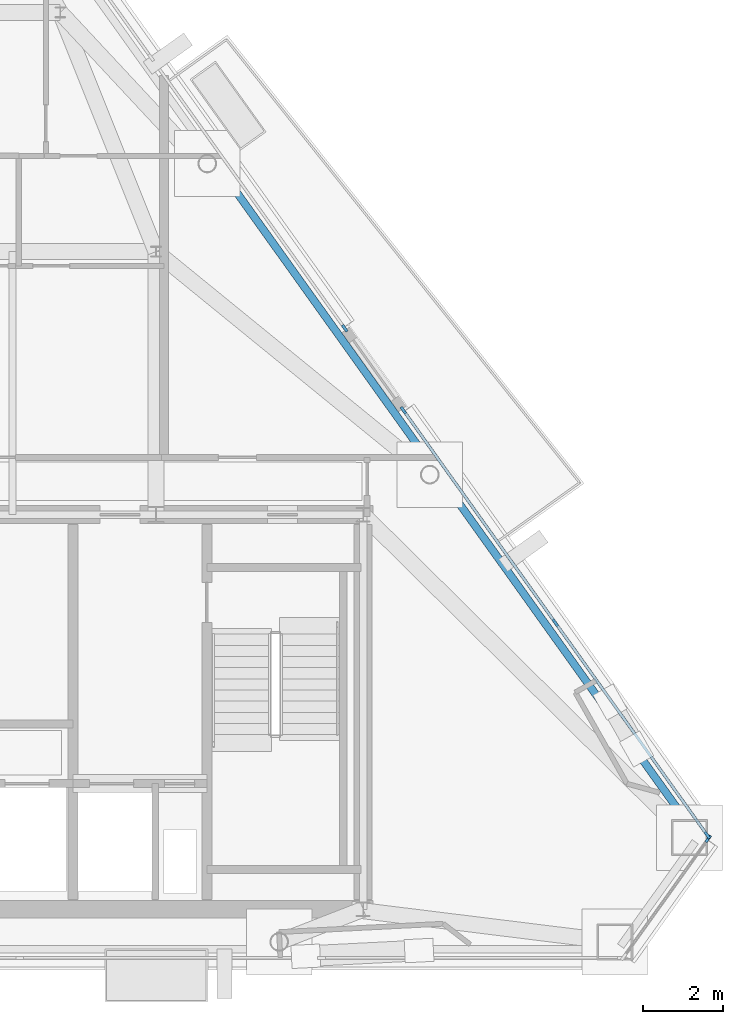
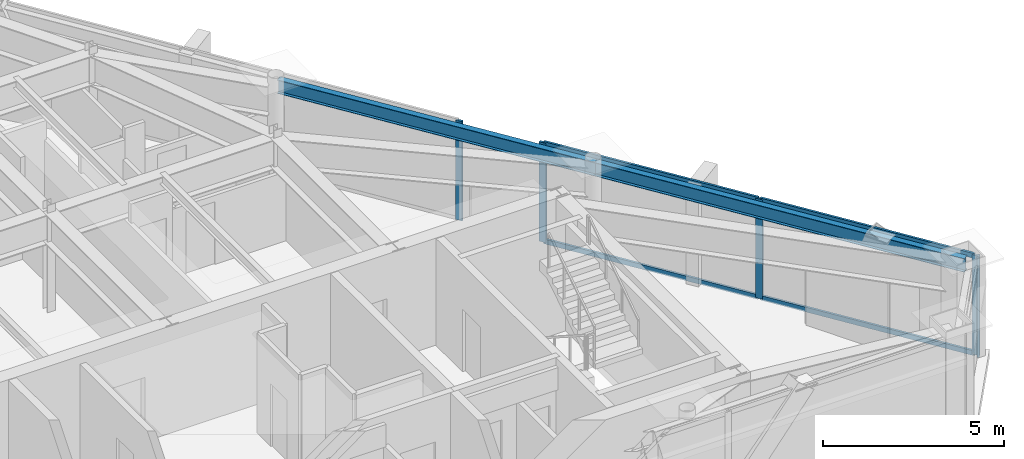
# One storey, part 6 of 11: 9 members, 2 beams, 3 elements without a shape of their own.
"""IFC4 building model written with IfcOpenShell, lengths in metres."""

from ifc_helpers import new_model, si_unit, direction, frame, origin, origin_2d, place, context, subcontext, project, spatial, rectangle, i_section, extrude, material, layer, layer_set, material_profile, profile_set, type_object, element, aggregate, save


model = new_model("IFC4")

# Units and contexts
model_context = context("Model", 3, precision=1e-05, world=origin(), true_north=direction((0.0, 1.0)))
body_context = subcontext(model_context, "Body", "Model", "MODEL_VIEW")
ifc_project = project(units=[si_unit("LENGTHUNIT", "METRE"), si_unit("AREAUNIT", "SQUARE_METRE"), si_unit("VOLUMEUNIT", "CUBIC_METRE"), si_unit("PLANEANGLEUNIT", "RADIAN"), si_unit("MASSUNIT", "GRAM", prefix="KILO")], contexts=[model_context])

# Site, building, storey
site_placement = place(None, origin())
site = spatial("IfcSite", under=ifc_project, at=site_placement, CompositionType="ELEMENT")
building_placement = place(site_placement, origin())
building = spatial("IfcBuilding", under=site, at=building_placement, Name="Talgorran Terracotta Tower", CompositionType="ELEMENT")
storey_placement = place(building_placement, frame((0.0, 0.0, 274.199951171875)))
storey = spatial("IfcBuildingStorey", under=building, at=storey_placement, Name="L72", CompositionType="ELEMENT", Elevation=274.199951171875)

# Beams
ifc_material_1 = material(Name="Steel S355 (300PLUS)", Category="steel")
ifc_material_profile_1 = material_profile(ifc_material_1, i_section(OverallWidth=0.18994140625, OverallDepth=0.45703125, WebThickness=0.009033203125, FlangeThickness=0.014404296875, at=origin_2d()), Name="460UB74.6")
ifc_profile_set_1 = profile_set([ifc_material_profile_1], Name="Steel S355 (300PLUS)")
beam_type = type_object("IfcBeamType", Name="BM_SP_460UB74", PredefinedType="SPANDREL", material=ifc_profile_set_1)
beam_1_placement = place(storey_placement, frame((20.731201171875, -12.19873046875, 3.116455078125), z_axis=(-0.581724880889, 0.813385617622, 0.0), x_axis=(-0.813385617622, -0.581724880889, 0.0)))
element("IfcBeam", 1, at=beam_1_placement, inside=storey, type_object=beam_type, Name="L72 Perimeter Spandrel Beam MC4-FC3", PredefinedType="SPANDREL", context=body_context, shape_type="SweptSolid", body=[
    extrude(i_section(OverallWidth=0.18994140625, OverallDepth=0.45703125, WebThickness=0.009033203125, FlangeThickness=0.014404296875, at=origin_2d()), origin(), (0.0, 0.0, 1.0), 11.1962890625),
])
beam_2_placement = place(storey_placement, frame((14.218017578125, -3.091796875, 3.116455078125), z_axis=(-0.581733798122, 0.813379240037, 0.0), x_axis=(-0.813379240037, -0.581733798122, 0.0)))
element("IfcBeam", 2, at=beam_2_placement, inside=storey, type_object=beam_type, Name="L72 Perimeter Spandrel Beam FC3-FC4", PredefinedType="SPANDREL", context=body_context, shape_type="SweptSolid", body=[
    extrude(i_section(OverallWidth=0.18994140625, OverallDepth=0.45703125, WebThickness=0.009033203125, FlangeThickness=0.014404296875, at=origin_2d()), origin(), (0.0, 0.0, 1.0), 9.59716796875),
])

# Curtain wall, member
ifc_material_2 = material(Name="High-Wind Unitised Glazing", Category="glass")
ifc_layer = layer(ifc_material_2, 0.2099609375, Name="CW_SYS3_RES_HIGH")
ifc_layer_set = layer_set([ifc_layer], Name="High-Wind Unitised Glazing")
curtain_wall_type = type_object("IfcCurtainWallType", Name="CW_SYS3_RES_HIGH", PredefinedType="NOTDEFINED", material=ifc_layer_set)
curtain_wall_1_placement = place(storey_placement, origin())
curtain_wall_1 = element("IfcCurtainWall", 3, at=curtain_wall_1_placement, inside=storey, type_object=curtain_wall_type, Name="CW-L72-F2", PredefinedType="NOTDEFINED")
ifc_material_3 = material(Name="Architectural Aluminium 6063-T6", Category="aluminium")
ifc_material_profile_2 = material_profile(ifc_material_3, rectangle(XDim=0.070068359375, YDim=0.199951171875, at=origin_2d()), Name="CWM70X200")
ifc_profile_set_2 = profile_set([ifc_material_profile_2], Name="Architectural Aluminium 6063-T6")
member_type_1 = type_object("IfcMemberType", Name="MUL_70X200", PredefinedType="MULLION", material=ifc_profile_set_2)
member_1_placement = place(storey_placement, frame((21.056396484375, -12.33203125, 0.0), z_axis=(0.0, 0.0, 1.0), x_axis=(-0.813370623345, 0.581745845777, 0.0)))
member_1 = element("IfcMember", 4, at=member_1_placement, type_object=member_type_1, Name="CW-L72-2 mullion 2", PredefinedType="MULLION", context=body_context, shape_type="SweptSolid", body=[
    extrude(rectangle(XDim=0.070068359375, YDim=0.199951171875, at=origin_2d()), origin(), (0.0, 0.0, 1.0), 3.344970703125),
])
aggregate(curtain_wall_1, [member_1])

# Curtain wall, members
curtain_wall_2_placement = place(storey_placement, origin())
curtain_wall_2 = element("IfcCurtainWall", 5, at=curtain_wall_2_placement, inside=storey, type_object=curtain_wall_type, Name="CW-L72-F40", PredefinedType="NOTDEFINED")
member_2_placement = place(storey_placement, frame((21.032958984375, -12.242431640625, 0.0), z_axis=(0.0, 0.0, 1.0), x_axis=(-0.813382532034, -0.581729195229, 0.0)))
member_2 = element("IfcMember", 6, at=member_2_placement, type_object=member_type_1, Name="CW-L72-40 mullion 1", PredefinedType="MULLION", context=body_context, shape_type="SweptSolid", body=[
    extrude(rectangle(XDim=0.070068359375, YDim=0.199951171875, at=origin_2d()), origin(), (0.0, 0.0, 1.0), 3.344970703125),
])
member_3_placement = place(storey_placement, frame((17.22119140625, -6.912841796875, 0.0), z_axis=(0.0, 0.0, 1.0), x_axis=(-0.813382532034, -0.581729195229, 0.0)))
member_3 = element("IfcMember", 7, at=member_3_placement, type_object=member_type_1, Name="CW-L72-40 mullion 2", PredefinedType="MULLION", context=body_context, shape_type="SweptSolid", body=[
    extrude(rectangle(XDim=0.070068359375, YDim=0.199951171875, at=origin_2d()), origin(), (0.0, 0.0, 1.0), 3.344970703125),
])
member_4_placement = place(storey_placement, frame((13.40966796875, -1.583251953125, 0.0), z_axis=(0.0, 0.0, 1.0), x_axis=(-0.813382532034, -0.581729195229, 0.0)))
member_4 = element("IfcMember", 8, at=member_4_placement, type_object=member_type_1, Name="CW-L72-40 mullion 3", PredefinedType="MULLION", context=body_context, shape_type="SweptSolid", body=[
    extrude(rectangle(XDim=0.070068359375, YDim=0.199951171875, at=origin_2d()), origin(), (0.0, 0.0, 1.0), 3.344970703125),
])

# Curtain wall, member
curtain_wall_3_placement = place(storey_placement, origin())
curtain_wall_3 = element("IfcCurtainWall", 9, at=curtain_wall_3_placement, inside=storey, type_object=curtain_wall_type, Name="CW-L72-F41", PredefinedType="NOTDEFINED")
member_5_placement = place(storey_placement, frame((11.937744140625, 0.474609375, 0.0), z_axis=(0.0, 0.0, 1.0), x_axis=(-0.813379914508, -0.581732855076, 0.0)))
member_5 = element("IfcMember", 10, at=member_5_placement, type_object=member_type_1, Name="CW-L72-41 mullion 1", PredefinedType="MULLION", context=body_context, shape_type="SweptSolid", body=[
    extrude(rectangle(XDim=0.070068359375, YDim=0.199951171875, at=origin_2d()), origin(), (0.0, 0.0, 1.0), 3.344970703125),
])
aggregate(curtain_wall_3, [member_5])

# Member
ifc_material_profile_3 = material_profile(ifc_material_3, rectangle(XDim=0.070068359375, YDim=0.159912109375, at=origin_2d()), Name="CWT70X160")
ifc_profile_set_3 = profile_set([ifc_material_profile_3], Name="Architectural Aluminium 6063-T6")
member_type_2 = type_object("IfcMemberType", Name="TRN_70X160", PredefinedType="USERDEFINED", material=ifc_profile_set_3)
member_6_placement = place(storey_placement, frame((21.0126953125, -12.214111328125, 0.03515625), z_axis=(-0.581726167418, 0.813384697509, 0.0), x_axis=(-0.813384697509, -0.581726167418, 0.0)))
member_6 = element("IfcMember", 11, at=member_6_placement, type_object=member_type_2, Name="CW-L72-40 transom 1.1", ObjectType="TRANSOM", PredefinedType="USERDEFINED", context=body_context, shape_type="SweptSolid", body=[
    extrude(rectangle(XDim=0.070068359375, YDim=0.159912109375, at=origin_2d()), origin(), (0.0, 0.0, 1.0), 6.482421875),
])

member_7_placement = place(storey_placement, frame((21.0126953125, -12.214111328125, 3.31005859375), z_axis=(-0.581726167418, 0.813384697509, 0.0), x_axis=(-0.813384697509, -0.581726167418, 0.0)))
member_7 = element("IfcMember", 12, at=member_7_placement, type_object=member_type_2, Name="CW-L72-40 transom 1.2", ObjectType="TRANSOM", PredefinedType="USERDEFINED", context=body_context, shape_type="SweptSolid", body=[
    extrude(rectangle(XDim=0.070068359375, YDim=0.159912109375, at=origin_2d()), origin(), (0.0, 0.0, 1.0), 6.482421875),
])

member_8_placement = place(storey_placement, frame((17.200927734375, -6.884521484375, 0.03515625), z_axis=(-0.581726167418, 0.813384697509, 0.0), x_axis=(-0.813384697509, -0.581726167418, 0.0)))
member_8 = element("IfcMember", 13, at=member_8_placement, type_object=member_type_2, Name="CW-L72-40 transom 2.1", ObjectType="TRANSOM", PredefinedType="USERDEFINED", context=body_context, shape_type="SweptSolid", body=[
    extrude(rectangle(XDim=0.070068359375, YDim=0.159912109375, at=origin_2d()), origin(), (0.0, 0.0, 1.0), 6.482421875),
])

member_9_placement = place(storey_placement, frame((17.200927734375, -6.884521484375, 3.31005859375), z_axis=(-0.581726167418, 0.813384697509, 0.0), x_axis=(-0.813384697509, -0.581726167418, 0.0)))
member_9 = element("IfcMember", 14, at=member_9_placement, type_object=member_type_2, Name="CW-L72-40 transom 2.2", ObjectType="TRANSOM", PredefinedType="USERDEFINED", context=body_context, shape_type="SweptSolid", body=[
    extrude(rectangle(XDim=0.070068359375, YDim=0.159912109375, at=origin_2d()), origin(), (0.0, 0.0, 1.0), 6.482421875),
])

aggregate(curtain_wall_2, [member_2, member_3, member_4, member_6, member_7, member_8, member_9])

save(model, "model.ifc")
